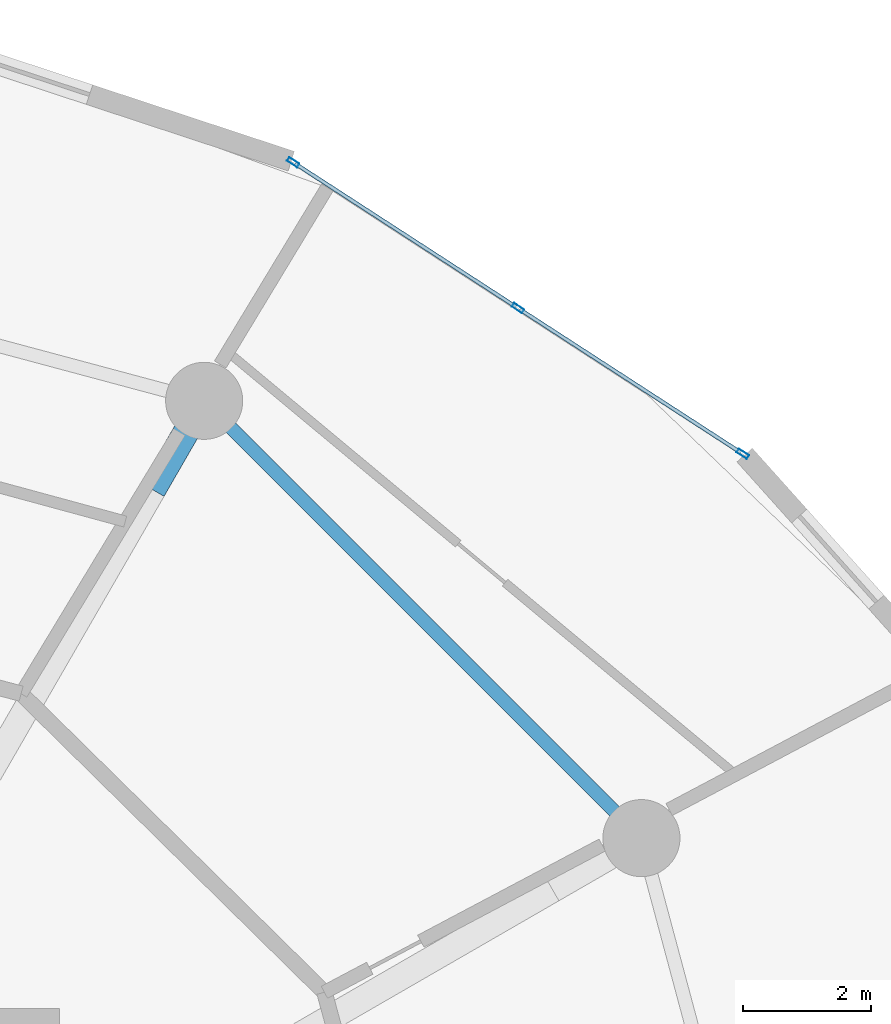
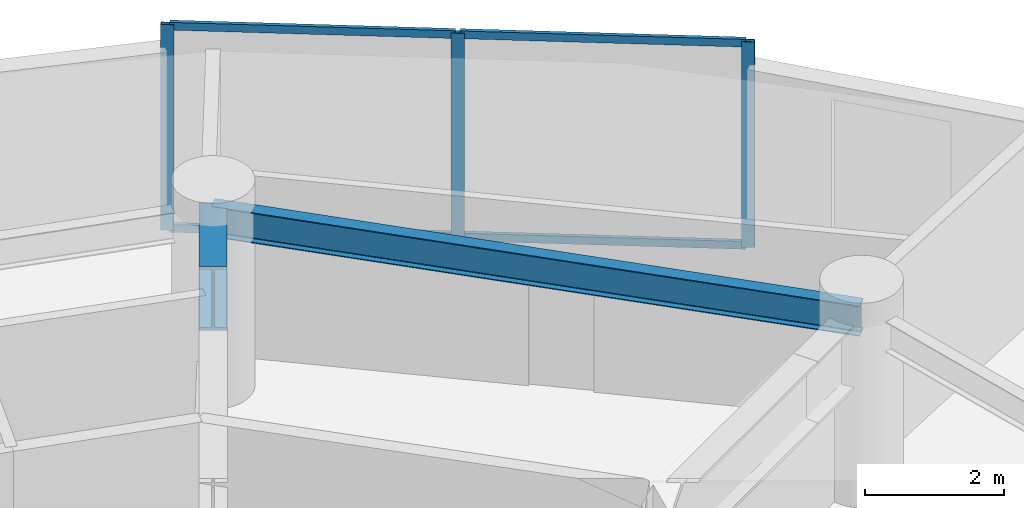
# One storey, part 16 of 24: 7 members, 2 beams, 1 element without a shape of its own.
"""IFC4 building model written with IfcOpenShell, lengths in metres."""

from ifc_helpers import new_model, si_unit, direction, frame, origin, origin_2d, place, context, subcontext, project, spatial, hollow_rectangle, i_section, extrude, source, transform, mapped, material, layer, layer_set, material_profile, profile_set, type_object, element, aggregate, save


model = new_model("IFC4")

# Units and contexts
model_context = context("Model", 3, precision=1e-05, world=origin(), true_north=direction((0.0, 1.0)))
body_context = subcontext(model_context, "Body", "Model", "MODEL_VIEW")
ifc_project = project(units=[si_unit("LENGTHUNIT", "METRE"), si_unit("AREAUNIT", "SQUARE_METRE"), si_unit("VOLUMEUNIT", "CUBIC_METRE"), si_unit("PLANEANGLEUNIT", "RADIAN"), si_unit("MASSUNIT", "GRAM", prefix="KILO")], contexts=[model_context])

# Site, building, storey
site_placement = place(None, origin())
site = spatial("IfcSite", under=ifc_project, at=site_placement, CompositionType="ELEMENT")
building_placement = place(site_placement, origin())
building = spatial("IfcBuilding", under=site, at=building_placement, Name="Solvirekh Grand Hotel", CompositionType="ELEMENT")
storey_placement = place(building_placement, frame((0.0, 0.0, 89.60009765625)))
storey = spatial("IfcBuildingStorey", under=building, at=storey_placement, Name="L22", CompositionType="ELEMENT", Elevation=89.60009765625)

# Beams
ifc_material_1 = material(Name="Steel S355", Category="steel")
ifc_material_profile_1 = material_profile(ifc_material_1, i_section(OverallWidth=0.208984375, OverallDepth=0.532958984375, WebThickness=0.010009765625, FlangeThickness=0.014892578125, FilletRadius=0.013916015625, at=origin_2d()), Name="W530X92")
ifc_profile_set_1 = profile_set([ifc_material_profile_1], Name="Steel S355")
beam_type_1 = type_object("IfcBeamType", Name="Spandrel_Ring_W530", PredefinedType="SPANDREL", material=ifc_profile_set_1)
beam_1_placement = place(storey_placement, frame((16.10791015625, 9.300048828125, 2.933837890625), z_axis=(-0.707106781187, 0.707106781187, 0.0), x_axis=(-0.707106781187, -0.707106781187, 0.0)))
element("IfcBeam", 1, at=beam_1_placement, inside=storey, type_object=beam_type_1, Name="L22 perimeter spandrel beam 2", PredefinedType="SPANDREL", context=body_context, shape_type="SweptSolid", body=[
    extrude(i_section(OverallWidth=0.208984375, OverallDepth=0.532958984375, WebThickness=0.010009765625, FlangeThickness=0.014892578125, FilletRadius=0.013916015625, at=origin_2d()), origin(), (0.0, 0.0, 1.0), 9.627685546875),
])
ifc_material_2 = material(Name="Steel S460", Category="steel")
ifc_material_profile_2 = material_profile(ifc_material_2, i_section(OverallWidth=0.405029296875, OverallDepth=1.117919921875, WebThickness=0.02587890625, FlangeThickness=0.048095703125, FilletRadius=0.02392578125, at=origin_2d()), Name="W1100X499")
ifc_profile_set_2 = profile_set([ifc_material_profile_2], Name="Steel S460")
beam_type_2 = type_object("IfcBeamType", Name="TransferGirder_W1100", PredefinedType="USERDEFINED", material=ifc_profile_set_2)
beam_2_placement = place(storey_placement, frame((8.5, 14.721923828125, 2.640869140625), z_axis=(0.499929347863, 0.866066190972, 0.0), x_axis=(-0.866066190972, 0.499929347863, 0.0)))
element("IfcBeam", 2, at=beam_2_placement, inside=storey, type_object=beam_type_2, Name="L22 outer radial transfer girder 3B", ObjectType="TRANSFER GIRDER", PredefinedType="USERDEFINED", context=body_context, shape_type="SweptSolid", body=[
    extrude(i_section(OverallWidth=0.405029296875, OverallDepth=1.117919921875, WebThickness=0.02587890625, FlangeThickness=0.048095703125, FilletRadius=0.02392578125, at=origin_2d()), origin(), (0.0, 0.0, 1.0), 1.600341796875),
])

# Curtain wall, members
ifc_material_3 = material(Name="Anodized Bronze Aluminium 6063-T6", Category="aluminium")
ifc_layer = layer(ifc_material_3, 0.18994140625)
ifc_layer_set = layer_set([ifc_layer], Name="Anodized Bronze Aluminium 6063-T6")
curtain_wall_type = type_object("IfcCurtainWallType", Name="CW_Sys2_LowZoneFlushBronzeCW", PredefinedType="NOTDEFINED", material=ifc_layer_set)
curtain_wall_placement = place(storey_placement, origin())
curtain_wall = element("IfcCurtainWall", 3, at=curtain_wall_placement, inside=storey, type_object=curtain_wall_type, Name="L22 unitised bronze-glass curtain wall CW-L22-C05", PredefinedType="NOTDEFINED")
ifc_material_profile_3 = material_profile(ifc_material_3, hollow_rectangle(XDim=0.070068359375, YDim=0.18994140625, WallThickness=0.0048828125, at=origin_2d()), Name="ALU RHS 190X70X5")
ifc_profile_set_3 = profile_set([ifc_material_profile_3], Name="Anodized Bronze Aluminium 6063-T6")
member_type_1 = type_object("IfcMemberType", Name="CWMullion_Sys2", PredefinedType="MULLION", material=ifc_profile_set_3)
shared_shape_1 = source(origin(), body_context, "Body", "SweptSolid", [
    extrude(hollow_rectangle(XDim=0.070068359375, YDim=0.18994140625, WallThickness=0.0048828125, at=origin_2d()), origin(), (0.0, 0.0, 1.0), 3.599853515625),
])
member_1_placement = place(storey_placement, frame((17.685546875, 15.282958984375, 0.0), z_axis=(0.0, 0.0, 1.0), x_axis=(-0.543955907637, -0.839113800713, 0.0)))
member_1 = element("IfcMember", 4, at=member_1_placement, type_object=member_type_1, Name="U02 mullion 1", PredefinedType="MULLION", context=body_context, shape_type="MappedRepresentation", body=[
    mapped(shared_shape_1, transform((0.0, 0.0, 0.0), x_axis=(1.0, 0.0, 0.0), y_axis=(0.0, 1.0, 0.0), z_axis=(0.0, 0.0, 1.0), scale=1.0)),
])
member_2_placement = place(storey_placement, frame((14.185546875, 17.552001953125, 0.0), z_axis=(0.0, 0.0, 1.0), x_axis=(-0.543955907637, -0.839113800713, 0.0)))
member_2 = element("IfcMember", 5, at=member_2_placement, type_object=member_type_1, Name="U02 mullion 2", PredefinedType="MULLION", context=body_context, shape_type="MappedRepresentation", body=[
    mapped(shared_shape_1, transform((0.0, 0.0, 0.0), x_axis=(1.0, 0.0, 0.0), y_axis=(0.0, 1.0, 0.0), z_axis=(0.0, 0.0, 1.0), scale=1.0)),
])
member_3_placement = place(storey_placement, frame((10.685302734375, 19.821044921875, 0.0), z_axis=(0.0, 0.0, 1.0), x_axis=(-0.543955907637, -0.839113800713, 0.0)))
member_3 = element("IfcMember", 6, at=member_3_placement, type_object=member_type_1, Name="U02 mullion 3", PredefinedType="MULLION", context=body_context, shape_type="MappedRepresentation", body=[
    mapped(shared_shape_1, transform((0.0, 0.0, 0.0), x_axis=(1.0, 0.0, 0.0), y_axis=(0.0, 1.0, 0.0), z_axis=(0.0, 0.0, 1.0), scale=1.0)),
])
ifc_material_profile_4 = material_profile(ifc_material_3, hollow_rectangle(XDim=0.06005859375, YDim=0.135009765625, WallThickness=0.00390625, at=origin_2d()), Name="ALU RHS 135X60X4")
ifc_profile_set_4 = profile_set([ifc_material_profile_4], Name="Anodized Bronze Aluminium 6063-T6")
member_type_2 = type_object("IfcMemberType", Name="CWTransom_Sys2", PredefinedType="USERDEFINED", material=ifc_profile_set_4)
shared_shape_2 = source(origin(), body_context, "Body", "SweptSolid", [
    extrude(hollow_rectangle(XDim=0.06005859375, YDim=0.135009765625, WallThickness=0.00390625, at=origin_2d()), origin(), (0.0, 0.0, 1.0), 4.101318359375),
])
member_4_placement = place(storey_placement, frame((17.65625, 15.302001953125, 0.02978515625), z_axis=(-0.839106695142, 0.54396686863, 0.0), x_axis=(-0.54396686863, -0.839106695142, 0.0)))
member_4 = element("IfcMember", 7, at=member_4_placement, type_object=member_type_2, Name="U02 transom 1.1", ObjectType="TRANSOM", PredefinedType="USERDEFINED", context=body_context, shape_type="MappedRepresentation", body=[
    mapped(shared_shape_2, transform((0.0, 0.0, 0.0), x_axis=(1.0, 0.0, 0.0), y_axis=(0.0, 1.0, 0.0), z_axis=(0.0, 0.0, 1.0), scale=1.0)),
])
member_5_placement = place(storey_placement, frame((17.65625, 15.302001953125, 3.56982421875), z_axis=(-0.839106695142, 0.54396686863, 0.0), x_axis=(-0.54396686863, -0.839106695142, 0.0)))
member_5 = element("IfcMember", 8, at=member_5_placement, type_object=member_type_2, Name="U02 transom 1.2", ObjectType="TRANSOM", PredefinedType="USERDEFINED", context=body_context, shape_type="MappedRepresentation", body=[
    mapped(shared_shape_2, transform((0.0, 0.0, 0.0), x_axis=(1.0, 0.0, 0.0), y_axis=(0.0, 1.0, 0.0), z_axis=(0.0, 0.0, 1.0), scale=1.0)),
])
member_6_placement = place(storey_placement, frame((14.15625, 17.571044921875, 0.02978515625), z_axis=(-0.839106695142, 0.54396686863, 0.0), x_axis=(-0.54396686863, -0.839106695142, 0.0)))
member_6 = element("IfcMember", 9, at=member_6_placement, type_object=member_type_2, Name="U02 transom 2.1", ObjectType="TRANSOM", PredefinedType="USERDEFINED", context=body_context, shape_type="MappedRepresentation", body=[
    mapped(shared_shape_2, transform((0.0, 0.0, 0.0), x_axis=(1.0, 0.0, 0.0), y_axis=(0.0, 1.0, 0.0), z_axis=(0.0, 0.0, 1.0), scale=1.0)),
])
member_7_placement = place(storey_placement, frame((14.15625, 17.571044921875, 3.56982421875), z_axis=(-0.839106695142, 0.54396686863, 0.0), x_axis=(-0.54396686863, -0.839106695142, 0.0)))
member_7 = element("IfcMember", 10, at=member_7_placement, type_object=member_type_2, Name="U02 transom 2.2", ObjectType="TRANSOM", PredefinedType="USERDEFINED", context=body_context, shape_type="MappedRepresentation", body=[
    mapped(shared_shape_2, transform((0.0, 0.0, 0.0), x_axis=(1.0, 0.0, 0.0), y_axis=(0.0, 1.0, 0.0), z_axis=(0.0, 0.0, 1.0), scale=1.0)),
])
aggregate(curtain_wall, [member_1, member_2, member_3, member_4, member_5, member_6, member_7])

save(model, "model.ifc")
